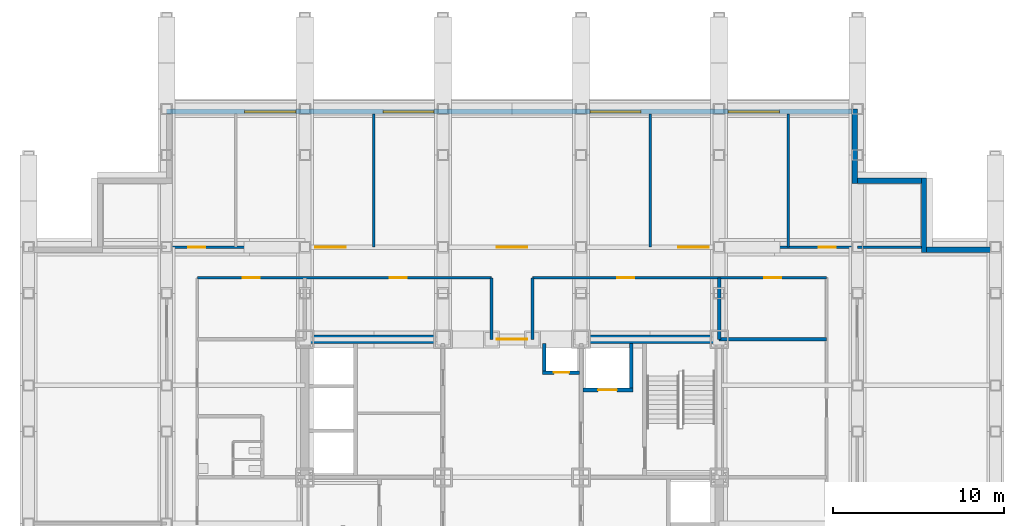
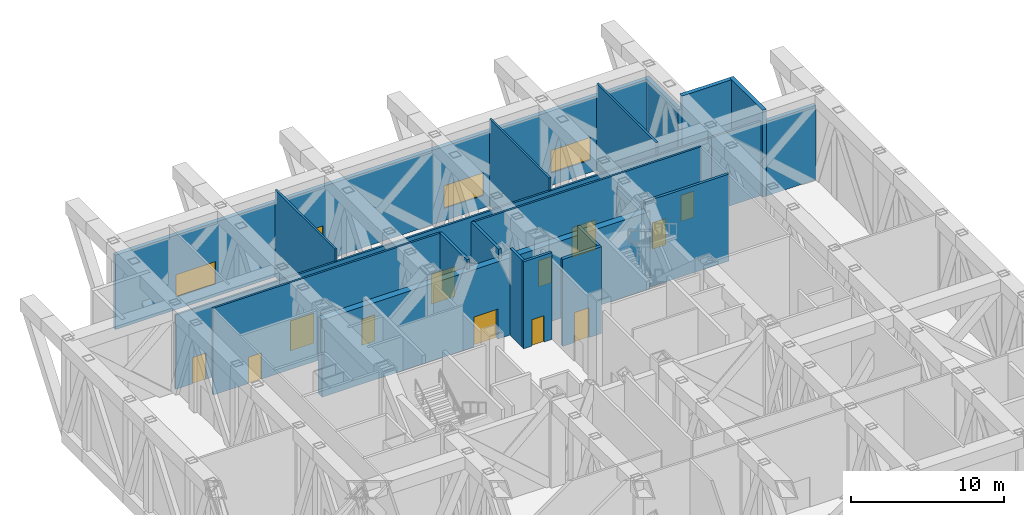
# One storey, part 10 of 13: 21 walls, 12 doors, 4 windows, 16 openings.
"""IFC4 building model written with IfcOpenShell, lengths in metres."""

from ifc_helpers import new_model, si_unit, direction, frame, frame_2d, origin, place, context, subcontext, project, spatial, rectangle, extrude, material, layer, layer_set, type_object, element, fill, save


model = new_model("IFC4")

# Units and contexts
model_context = context("Model", 3, precision=1e-05, world=origin(), true_north=direction((0.0, 1.0)))
body_context = subcontext(model_context, "Body", "Model", "MODEL_VIEW")
ifc_project = project(units=[si_unit("LENGTHUNIT", "METRE"), si_unit("AREAUNIT", "SQUARE_METRE"), si_unit("VOLUMEUNIT", "CUBIC_METRE"), si_unit("PLANEANGLEUNIT", "RADIAN"), si_unit("MASSUNIT", "GRAM", prefix="KILO")], contexts=[model_context])

# Site, building, storey
site_placement = place(None, origin())
site = spatial("IfcSite", under=ifc_project, at=site_placement, CompositionType="ELEMENT")
building_placement = place(site_placement, origin())
building = spatial("IfcBuilding", under=site, at=building_placement, Name="Kopane Lantern Tower", CompositionType="ELEMENT")
storey_placement = place(building_placement, frame((0.0, 0.0, 157.800048828125)))
storey = spatial("IfcBuildingStorey", under=building, at=storey_placement, Name="L41", CompositionType="ELEMENT", Elevation=157.800048828125)

# Wall, opening, door
ifc_material_1 = material(Name="Gypsum shaft wall EI 120", Category="gypsum")
ifc_layer_1 = layer(ifc_material_1, 0.5)
ifc_layer_set_1 = layer_set([ifc_layer_1], Name="CORE PERIMETER WALL 500 EI 120")
wall_type_1 = type_object("IfcWallType", Name="CORE PERIMETER WALL 500 EI 120", PredefinedType="SOLIDWALL", material=ifc_layer_set_1)
wall_1_placement = place(storey_placement, frame((15.949951171875, 40.5, 0.0), z_axis=(0.0, 0.0, 1.0), x_axis=(1.0, 0.0, 0.0)))
wall_1 = element("IfcWall", 1, at=wall_1_placement, inside=storey, type_object=wall_type_1, Name="Core shaft wall L41 PN", PredefinedType="SOLIDWALL", context=body_context, shape_type="SweptSolid", body=[
    extrude(rectangle(XDim=24.800048828125, YDim=0.5, at=frame_2d((12.39990234375, 0.0))), origin(), (0.0, 0.0, 1.0), 6.18017578125),
])
opening_1_placement = place(wall_1_placement, frame((11.5, 0.0, 0.0)))
opening_1 = element("IfcOpeningElement", 2, at=opening_1_placement, cuts=wall_1, Name="Opening 41.CE-N", PredefinedType="OPENING", context=body_context, shape_type="SweptSolid", body=[
    extrude(rectangle(XDim=1.800048828125, YDim=2.39990234375, at=frame_2d((0.89990234375, 1.199951171875))), frame((0.0, 0.260009765625, 0.0), z_axis=(0.0, -1.0, 0.0), x_axis=(1.0, 0.0, 0.0)), (0.0, 0.0, 1.0), 0.52001953125),
])
ifc_material_2 = material(Name="Steel door set", Category="steel")
door_type_1 = type_object("IfcDoorType", Name="CORE ENTRY DOOR 1800x2400 FD60S", OperationType="DOUBLE_DOOR_SINGLE_SWING", PredefinedType="DOOR", material=ifc_material_2)
door_1_placement = place(opening_1_placement, origin())
door_1 = element("IfcDoor", 3, at=door_1_placement, inside=storey, type_object=door_type_1, Name="Core entry door L41 north", OperationType="DOUBLE_DOOR_SINGLE_SWING", OverallHeight=2.39990234375, OverallWidth=1.800048828125, PredefinedType="DOOR", context=body_context, shape_type="SweptSolid", body=[
    extrude(rectangle(XDim=1.800048828125, YDim=2.39990234375, at=frame_2d((0.89990234375, 1.199951171875))), frame((0.0, 0.02490234375, 0.0), z_axis=(0.0, -1.0, 0.0), x_axis=(1.0, 0.0, 0.0)), (0.0, 0.0, 1.0), 0.050048828125),
])
fill(opening_1, door_1)

ifc_material_3 = material(Name="Gypsum shaft wall EI 120", Category="gypsum")
ifc_layer_2 = layer(ifc_material_3, 0.25)
ifc_layer_set_2 = layer_set([ifc_layer_2], Name="CORE SHAFT WALL 250 EI 120")
wall_type_2 = type_object("IfcWallType", Name="CORE SHAFT WALL 250 EI 120", PredefinedType="SOLIDWALL", material=ifc_layer_set_2)
wall_2_placement = place(storey_placement, frame((32.5, 37.52490234375, 0.0), z_axis=(0.0, 0.0, 1.0), x_axis=(1.0, 0.0, 0.0)))
wall_2 = element("IfcWall", 4, at=wall_2_placement, inside=storey, type_object=wall_type_2, Name="Core shaft wall L41 YLF2", PredefinedType="SOLIDWALL", context=body_context, shape_type="SweptSolid", body=[
    extrude(rectangle(XDim=2.949951171875, YDim=0.25, at=frame_2d((1.47509765625, 0.0))), origin(), (0.0, 0.0, 1.0), 6.949951171875),
])
opening_2_placement = place(wall_2_placement, frame((0.89990234375, 0.0, 0.0)))
opening_2 = element("IfcOpeningElement", 5, at=opening_2_placement, cuts=wall_2, Name="Opening 41.LD-LF2", PredefinedType="OPENING", context=body_context, shape_type="SweptSolid", body=[
    extrude(rectangle(XDim=1.10009765625, YDim=2.39990234375, at=frame_2d((0.550048828125, 1.199951171875))), frame((0.0, 0.135009765625, 0.0), z_axis=(0.0, -1.0, 0.0), x_axis=(1.0, 0.0, 0.0)), (0.0, 0.0, 1.0), 0.27001953125),
])
ifc_material_4 = material(Name="Steel door set", Category="steel")
door_type_2 = type_object("IfcDoorType", Name="LIFT LANDING DOOR 1100x2400 FD60", OperationType="DOUBLE_DOOR_SLIDING", PredefinedType="DOOR", material=ifc_material_4)
door_2_placement = place(opening_2_placement, origin())
door_2 = element("IfcDoor", 6, at=door_2_placement, inside=storey, type_object=door_type_2, Name="Landing door LF2 L41", OperationType="DOUBLE_DOOR_SLIDING", OverallHeight=2.39990234375, OverallWidth=1.10009765625, PredefinedType="DOOR", context=body_context, shape_type="SweptSolid", body=[
    extrude(rectangle(XDim=1.10009765625, YDim=2.39990234375, at=frame_2d((0.550048828125, 1.199951171875))), frame((0.0, 0.02490234375, 0.0), z_axis=(0.0, -1.0, 0.0), x_axis=(1.0, 0.0, 0.0)), (0.0, 0.0, 1.0), 0.050048828125),
])
fill(opening_2, door_2)

# Wall, openings, doors
ifc_material_5 = material(Name="Gypsum board on steel studs", Category="steel")
ifc_layer_3 = layer(ifc_material_5, 0.14990234375)
ifc_layer_set_3 = layer_set([ifc_layer_3], Name="CORRIDOR WALL 150 EI 60")
wall_type_3 = type_object("IfcWallType", Name="CORRIDOR WALL 150 EI 60", PredefinedType="PARTITIONING", material=ifc_layer_set_3)
wall_3_placement = place(storey_placement, frame((8.10009765625, 45.89990234375, 0.0), z_axis=(0.0, 0.0, 1.0), x_axis=(1.0, 0.0, 0.0)))
wall_3 = element("IfcWall", 7, at=wall_3_placement, inside=storey, type_object=wall_type_3, Name="Corridor Wall 150 Ei 60 L41", PredefinedType="PARTITIONING", context=body_context, shape_type="SweptSolid", body=[
    extrude(rectangle(XDim=40.5, YDim=0.14990234375, at=frame_2d((20.25, 0.0))), origin(), (0.0, 0.0, 1.0), 5.949951171875),
])
opening_3_placement = place(wall_3_placement, frame((8.699951171875, 0.0, 0.0)))
opening_3 = element("IfcOpeningElement", 8, at=opening_3_placement, cuts=wall_3, Name="Opening L41-018", PredefinedType="OPENING", context=body_context, shape_type="SweptSolid", body=[
    extrude(rectangle(XDim=1.800048828125, YDim=2.39990234375, at=frame_2d((0.89990234375, 1.199951171875))), frame((0.0, 0.0849609375, 0.0), z_axis=(0.0, -1.0, 0.0), x_axis=(1.0, 0.0, 0.0)), (0.0, 0.0, 1.0), 0.169921875),
])
opening_4_placement = place(wall_3_placement, frame((19.35009765625, 0.0, 0.0)))
opening_4 = element("IfcOpeningElement", 9, at=opening_4_placement, cuts=wall_3, Name="Opening L41-019", PredefinedType="OPENING", context=body_context, shape_type="SweptSolid", body=[
    extrude(rectangle(XDim=1.800048828125, YDim=2.39990234375, at=frame_2d((0.89990234375, 1.199951171875))), frame((0.0, 0.0849609375, 0.0), z_axis=(0.0, -1.0, 0.0), x_axis=(1.0, 0.0, 0.0)), (0.0, 0.0, 1.0), 0.169921875),
])
opening_5_placement = place(wall_3_placement, frame((30.0, 0.0, 0.0)))
opening_5 = element("IfcOpeningElement", 10, at=opening_5_placement, cuts=wall_3, Name="Opening L41-020", PredefinedType="OPENING", context=body_context, shape_type="SweptSolid", body=[
    extrude(rectangle(XDim=1.800048828125, YDim=2.39990234375, at=frame_2d((0.89990234375, 1.199951171875))), frame((0.0, 0.0849609375, 0.0), z_axis=(0.0, -1.0, 0.0), x_axis=(1.0, 0.0, 0.0)), (0.0, 0.0, 1.0), 0.169921875),
])
opening_6_placement = place(wall_3_placement, frame((38.22509765625, 0.0, 0.0)))
opening_6 = element("IfcOpeningElement", 11, at=opening_6_placement, cuts=wall_3, Name="Opening L41-027", PredefinedType="OPENING", context=body_context, shape_type="SweptSolid", body=[
    extrude(rectangle(XDim=1.0, YDim=2.10009765625, at=frame_2d((0.5, 1.050048828125))), frame((0.0, 0.0849609375, 0.0), z_axis=(0.0, -1.0, 0.0), x_axis=(1.0, 0.0, 0.0)), (0.0, 0.0, 1.0), 0.169921875),
])
opening_7_placement = place(wall_3_placement, frame((1.27490234375, 0.0, 0.0)))
opening_7 = element("IfcOpeningElement", 12, at=opening_7_placement, cuts=wall_3, Name="Opening L41-028", PredefinedType="OPENING", context=body_context, shape_type="SweptSolid", body=[
    extrude(rectangle(XDim=1.0, YDim=2.10009765625, at=frame_2d((0.5, 1.050048828125))), frame((0.0, 0.0849609375, 0.0), z_axis=(0.0, -1.0, 0.0), x_axis=(1.0, 0.0, 0.0)), (0.0, 0.0, 1.0), 0.169921875),
])
ifc_material_6 = material(Name="Steel door set", Category="steel")
door_type_3 = type_object("IfcDoorType", Name="DOOR D5 1000x2100 FD60", OperationType="SINGLE_SWING_LEFT", PredefinedType="DOOR", material=ifc_material_6)
door_3_placement = place(opening_6_placement, origin())
door_3 = element("IfcDoor", 13, at=door_3_placement, inside=storey, type_object=door_type_3, Name="Door L41-027", OperationType="SINGLE_SWING_LEFT", OverallHeight=2.10009765625, OverallWidth=1.0, PredefinedType="DOOR", context=body_context, shape_type="SweptSolid", body=[
    extrude(rectangle(XDim=1.0, YDim=2.10009765625, at=frame_2d((0.5, 1.050048828125))), frame((0.0, 0.02490234375, 0.0), z_axis=(0.0, -1.0, 0.0), x_axis=(1.0, 0.0, 0.0)), (0.0, 0.0, 1.0), 0.050048828125),
])
fill(opening_6, door_3)
door_4_placement = place(opening_7_placement, origin())
door_4 = element("IfcDoor", 14, at=door_4_placement, inside=storey, type_object=door_type_3, Name="Door L41-028", OperationType="SINGLE_SWING_RIGHT", OverallHeight=2.10009765625, OverallWidth=1.0, PredefinedType="DOOR", context=body_context, shape_type="SweptSolid", body=[
    extrude(rectangle(XDim=1.0, YDim=2.10009765625, at=frame_2d((0.5, 1.050048828125))), frame((0.0, 0.02490234375, 0.0), z_axis=(0.0, -1.0, 0.0), x_axis=(1.0, 0.0, 0.0)), (0.0, 0.0, 1.0), 0.050048828125),
])
fill(opening_7, door_4)
ifc_material_7 = material(Name="Steel door set", Category="steel")
door_type_4 = type_object("IfcDoorType", Name="DOOR D6 1800x2400 FD30S", OperationType="SINGLE_SWING_LEFT", PredefinedType="DOOR", material=ifc_material_7)
door_5_placement = place(opening_3_placement, origin())
door_5 = element("IfcDoor", 15, at=door_5_placement, inside=storey, type_object=door_type_4, Name="Door L41-018", OperationType="DOUBLE_DOOR_SINGLE_SWING", OverallHeight=2.39990234375, OverallWidth=1.800048828125, PredefinedType="DOOR", context=body_context, shape_type="SweptSolid", body=[
    extrude(rectangle(XDim=1.800048828125, YDim=2.39990234375, at=frame_2d((0.89990234375, 1.199951171875))), frame((0.0, 0.02490234375, 0.0), z_axis=(0.0, -1.0, 0.0), x_axis=(1.0, 0.0, 0.0)), (0.0, 0.0, 1.0), 0.050048828125),
])
fill(opening_3, door_5)
ifc_material_8 = material(Name="Steel door set", Category="steel")
door_type_5 = type_object("IfcDoorType", Name="DOOR D8 1800x2400 FD120", OperationType="SINGLE_SWING_LEFT", PredefinedType="DOOR", material=ifc_material_8)
door_6_placement = place(opening_4_placement, origin())
door_6 = element("IfcDoor", 16, at=door_6_placement, inside=storey, type_object=door_type_5, Name="Door L41-019", OperationType="DOUBLE_DOOR_SINGLE_SWING", OverallHeight=2.39990234375, OverallWidth=1.800048828125, PredefinedType="DOOR", context=body_context, shape_type="SweptSolid", body=[
    extrude(rectangle(XDim=1.800048828125, YDim=2.39990234375, at=frame_2d((0.89990234375, 1.199951171875))), frame((0.0, 0.02490234375, 0.0), z_axis=(0.0, -1.0, 0.0), x_axis=(1.0, 0.0, 0.0)), (0.0, 0.0, 1.0), 0.050048828125),
])
fill(opening_4, door_6)
door_7_placement = place(opening_5_placement, origin())
door_7 = element("IfcDoor", 17, at=door_7_placement, inside=storey, type_object=door_type_5, Name="Door L41-020", OperationType="DOUBLE_DOOR_SINGLE_SWING", OverallHeight=2.39990234375, OverallWidth=1.800048828125, PredefinedType="DOOR", context=body_context, shape_type="SweptSolid", body=[
    extrude(rectangle(XDim=1.800048828125, YDim=2.39990234375, at=frame_2d((0.89990234375, 1.199951171875))), frame((0.0, 0.02490234375, 0.0), z_axis=(0.0, -1.0, 0.0), x_axis=(1.0, 0.0, 0.0)), (0.0, 0.0, 1.0), 0.050048828125),
])
fill(opening_5, door_7)

wall_4_placement = place(storey_placement, frame((46.800048828125, 44.10009765625, 0.0), z_axis=(0.0, 0.0, 1.0), x_axis=(-1.0, 0.0, 0.0)))
wall_4 = element("IfcWall", 18, at=wall_4_placement, inside=storey, type_object=wall_type_3, Name="Corridor Wall 150 Ei 60 L41", PredefinedType="PARTITIONING", context=body_context, shape_type="SweptSolid", body=[
    extrude(rectangle(XDim=17.239990234375, YDim=0.14990234375, at=frame_2d((8.6201171875, 0.0))), origin(), (0.0, 0.0, 1.0), 6.949951171875),
])
opening_8_placement = place(wall_4_placement, frame((11.27490234375, 0.0, 0.0)))
opening_8 = element("IfcOpeningElement", 19, at=opening_8_placement, cuts=wall_4, Name="Opening L41-014", PredefinedType="OPENING", context=body_context, shape_type="SweptSolid", body=[
    extrude(rectangle(XDim=1.0, YDim=2.10009765625, at=frame_2d((0.5, 1.050048828125))), frame((0.0, 0.0849609375, 0.0), z_axis=(0.0, -1.0, 0.0), x_axis=(1.0, 0.0, 0.0)), (0.0, 0.0, 1.0), 0.169921875),
])
opening_9_placement = place(wall_4_placement, frame((2.64990234375, 0.0, 0.0)))
opening_9 = element("IfcOpeningElement", 20, at=opening_9_placement, cuts=wall_4, Name="Opening L41-015", PredefinedType="OPENING", context=body_context, shape_type="SweptSolid", body=[
    extrude(rectangle(XDim=1.0, YDim=2.10009765625, at=frame_2d((0.5, 1.050048828125))), frame((0.0, 0.0849609375, 0.0), z_axis=(0.0, -1.0, 0.0), x_axis=(1.0, 0.0, 0.0)), (0.0, 0.0, 1.0), 0.169921875),
])
door_8_placement = place(opening_8_placement, origin())
door_8 = element("IfcDoor", 21, at=door_8_placement, inside=storey, type_object=door_type_3, Name="Door L41-014", OperationType="SINGLE_SWING_RIGHT", OverallHeight=2.10009765625, OverallWidth=1.0, PredefinedType="DOOR", context=body_context, shape_type="SweptSolid", body=[
    extrude(rectangle(XDim=1.0, YDim=2.10009765625, at=frame_2d((0.5, 1.050048828125))), frame((0.0, 0.02490234375, 0.0), z_axis=(0.0, -1.0, 0.0), x_axis=(1.0, 0.0, 0.0)), (0.0, 0.0, 1.0), 0.050048828125),
])
fill(opening_8, door_8)
door_9_placement = place(opening_9_placement, origin())
door_9 = element("IfcDoor", 22, at=door_9_placement, inside=storey, type_object=door_type_3, Name="Door L41-015", OperationType="SINGLE_SWING_LEFT", OverallHeight=2.10009765625, OverallWidth=1.0, PredefinedType="DOOR", context=body_context, shape_type="SweptSolid", body=[
    extrude(rectangle(XDim=1.0, YDim=2.10009765625, at=frame_2d((0.5, 1.050048828125))), frame((0.0, 0.02490234375, 0.0), z_axis=(0.0, -1.0, 0.0), x_axis=(1.0, 0.0, 0.0)), (0.0, 0.0, 1.0), 0.050048828125),
])
fill(opening_9, door_9)

wall_5_placement = place(storey_placement, frame((27.139892578125, 44.10009765625, 0.0), z_axis=(0.0, 0.0, 1.0), x_axis=(-1.0, 0.0, 0.0)))
wall_5 = element("IfcWall", 23, at=wall_5_placement, inside=storey, type_object=wall_type_3, Name="Corridor Wall 150 Ei 60 L41", PredefinedType="PARTITIONING", context=body_context, shape_type="SweptSolid", body=[
    extrude(rectangle(XDim=17.239990234375, YDim=0.14990234375, at=frame_2d((8.6201171875, 0.0))), origin(), (0.0, 0.0, 1.0), 6.949951171875),
])
opening_10_placement = place(wall_5_placement, frame((13.590087890625, 0.0, 0.0)))
opening_10 = element("IfcOpeningElement", 24, at=opening_10_placement, cuts=wall_5, Name="Opening L41-012", PredefinedType="OPENING", context=body_context, shape_type="SweptSolid", body=[
    extrude(rectangle(XDim=1.0, YDim=2.10009765625, at=frame_2d((0.5, 1.050048828125))), frame((0.0, 0.0849609375, 0.0), z_axis=(0.0, -1.0, 0.0), x_axis=(1.0, 0.0, 0.0)), (0.0, 0.0, 1.0), 0.169921875),
])
opening_11_placement = place(wall_5_placement, frame((4.965087890625, 0.0, 0.0)))
opening_11 = element("IfcOpeningElement", 25, at=opening_11_placement, cuts=wall_5, Name="Opening L41-013", PredefinedType="OPENING", context=body_context, shape_type="SweptSolid", body=[
    extrude(rectangle(XDim=1.0, YDim=2.10009765625, at=frame_2d((0.5, 1.050048828125))), frame((0.0, 0.0849609375, 0.0), z_axis=(0.0, -1.0, 0.0), x_axis=(1.0, 0.0, 0.0)), (0.0, 0.0, 1.0), 0.169921875),
])
door_10_placement = place(opening_10_placement, origin())
door_10 = element("IfcDoor", 26, at=door_10_placement, inside=storey, type_object=door_type_3, Name="Door L41-012", OperationType="SINGLE_SWING_RIGHT", OverallHeight=2.10009765625, OverallWidth=1.0, PredefinedType="DOOR", context=body_context, shape_type="SweptSolid", body=[
    extrude(rectangle(XDim=1.0, YDim=2.10009765625, at=frame_2d((0.5, 1.050048828125))), frame((0.0, 0.02490234375, 0.0), z_axis=(0.0, -1.0, 0.0), x_axis=(1.0, 0.0, 0.0)), (0.0, 0.0, 1.0), 0.050048828125),
])
fill(opening_10, door_10)
door_11_placement = place(opening_11_placement, origin())
door_11 = element("IfcDoor", 27, at=door_11_placement, inside=storey, type_object=door_type_3, Name="Door L41-013", OperationType="SINGLE_SWING_LEFT", OverallHeight=2.10009765625, OverallWidth=1.0, PredefinedType="DOOR", context=body_context, shape_type="SweptSolid", body=[
    extrude(rectangle(XDim=1.0, YDim=2.10009765625, at=frame_2d((0.5, 1.050048828125))), frame((0.0, 0.02490234375, 0.0), z_axis=(0.0, -1.0, 0.0), x_axis=(1.0, 0.0, 0.0)), (0.0, 0.0, 1.0), 0.050048828125),
])
fill(opening_11, door_11)

# Walls
ifc_material_9 = material(Name="Gypsum board on steel studs", Category="steel")
ifc_layer_4 = layer(ifc_material_9, 0.14990234375)
ifc_layer_set_4 = layer_set([ifc_layer_4], Name="DEMISING WALL 150 EI 60")
wall_type_4 = type_object("IfcWallType", Name="DEMISING WALL 150 EI 60", PredefinedType="PARTITIONING", material=ifc_layer_set_4)
for number, where, z_axis, x_axis, name in (
    (28, (20.25, 45.89990234375, 0.0), (0.0, 0.0, 1.0), (0.0, 1.0, 0.0), "Demising Wall 150 Ei 60 L41"),
    (29, (36.449951171875, 45.89990234375, 0.0), (0.0, 0.0, 1.0), (0.0, 1.0, 0.0), "Demising Wall 150 Ei 60 L41"),
):
    element("IfcWall", number, at=place(storey_placement, frame(where, z_axis=z_axis, x_axis=x_axis)), inside=storey, type_object=wall_type_4, Name=name, PredefinedType="PARTITIONING", context=body_context, shape_type="SweptSolid", body=[
        extrude(rectangle(XDim=7.800048828125, YDim=0.14990234375, at=frame_2d((3.89990234375, 0.0))), origin(), (0.0, 0.0, 1.0), 6.949951171875),
    ])
wall_6_placement = place(storey_placement, frame((48.60009765625, 45.89990234375, 0.0), z_axis=(0.0, 0.0, 1.0), x_axis=(1.0, 0.0, 0.0)))
element("IfcWall", 30, at=wall_6_placement, inside=storey, type_object=wall_type_4, Name="Demising Wall 150 Ei 60 L41", PredefinedType="PARTITIONING", context=body_context, shape_type="SweptSolid", body=[
    extrude(rectangle(XDim=3.75, YDim=0.14990234375, at=frame_2d((1.875, 0.0))), origin(), (0.0, 0.0, 1.0), 5.949951171875),
])
wall_7_placement = place(storey_placement, frame((44.550048828125, 45.89990234375, 0.0), z_axis=(0.0, 0.0, 1.0), x_axis=(0.0, 1.0, 0.0)))
element("IfcWall", 31, at=wall_7_placement, inside=storey, type_object=wall_type_4, Name="Demising Wall 150 Ei 60 L41", PredefinedType="PARTITIONING", context=body_context, shape_type="SweptSolid", body=[
    extrude(rectangle(XDim=7.800048828125, YDim=0.14990234375, at=frame_2d((3.89990234375, 0.0))), origin(), (0.0, 0.0, 1.0), 6.949951171875),
])
ifc_material_10 = material(Name="Terracotta rainscreen on light steel framing", Category="masonry")
ifc_layer_5 = layer(ifc_material_10, 0.300048828125)
ifc_layer_set_5 = layer_set([ifc_layer_5], Name="EXTERNAL WALL EW1 300 TERRACOTTA")
wall_type_5 = type_object("IfcWallType", Name="EXTERNAL WALL EW1 300 TERRACOTTA", PredefinedType="SOLIDWALL", material=ifc_layer_set_5)
wall_8_placement = place(storey_placement, frame((56.39990234375, 45.75, 0.0), z_axis=(0.0, 0.0, 1.0), x_axis=(-1.0, 0.0, 0.0)))
element("IfcWall", 32, at=wall_8_placement, inside=storey, type_object=wall_type_5, Name="External wall N L41", PredefinedType="SOLIDWALL", context=body_context, shape_type="SweptSolid", body=[
    extrude(rectangle(XDim=3.75, YDim=0.300048828125, at=frame_2d((1.875, 0.0))), origin(), (0.0, 0.0, 1.0), 5.949951171875),
])
wall_9_placement = place(storey_placement, frame((52.5, 45.60009765625, 0.0), z_axis=(0.0, 0.0, 1.0), x_axis=(0.0, 1.0, 0.0)))
element("IfcWall", 33, at=wall_9_placement, inside=storey, type_object=wall_type_5, Name="External wall E L41", PredefinedType="SOLIDWALL", context=body_context, shape_type="SweptSolid", body=[
    extrude(rectangle(XDim=4.349853515625, YDim=0.300048828125, at=frame_2d((2.1748046875, 0.0))), origin(), (0.0, 0.0, 1.0), 6.949951171875),
])
wall_10_placement = place(storey_placement, frame((52.35009765625, 49.800048828125, 0.0), z_axis=(0.0, 0.0, 1.0), x_axis=(-1.0, 0.0, 0.0)))
element("IfcWall", 34, at=wall_10_placement, inside=storey, type_object=wall_type_5, Name="External wall N L41", PredefinedType="SOLIDWALL", context=body_context, shape_type="SweptSolid", body=[
    extrude(rectangle(XDim=3.75, YDim=0.300048828125, at=frame_2d((1.875, 0.0))), origin(), (0.0, 0.0, 1.0), 6.949951171875),
])
wall_11_placement = place(storey_placement, frame((48.449951171875, 49.64990234375, 0.0), z_axis=(0.0, 0.0, 1.0), x_axis=(0.0, 1.0, 0.0)))
element("IfcWall", 35, at=wall_11_placement, inside=storey, type_object=wall_type_5, Name="External wall E L41", PredefinedType="SOLIDWALL", context=body_context, shape_type="SweptSolid", body=[
    extrude(rectangle(XDim=4.35009765625, YDim=0.300048828125, at=frame_2d((2.175048828125, 0.0))), origin(), (0.0, 0.0, 1.0), 5.949951171875),
])

# Wall, openings, windows
wall_12_placement = place(storey_placement, frame((48.300048828125, 53.85009765625, 0.0), z_axis=(0.0, 0.0, 1.0), x_axis=(-1.0, 0.0, 0.0)))
wall_12 = element("IfcWall", 36, at=wall_12_placement, inside=storey, type_object=wall_type_5, Name="External wall N L41", PredefinedType="SOLIDWALL", context=body_context, shape_type="SweptSolid", body=[
    extrude(rectangle(XDim=40.199951171875, YDim=0.300048828125, at=frame_2d((20.10009765625, 0.0))), origin(), (0.0, 0.0, 1.0), 5.949951171875),
])
opening_12_placement = place(wall_12_placement, frame((4.27490234375, 0.0, 1.0)))
opening_12 = element("IfcOpeningElement", 37, at=opening_12_placement, cuts=wall_12, Name="Opening LV300180", PredefinedType="OPENING", context=body_context, shape_type="SweptSolid", body=[
    extrude(rectangle(XDim=3.0, YDim=1.800048828125, at=frame_2d((1.5, 0.89990234375))), frame((0.0, 0.159912109375, 0.0), z_axis=(0.0, -1.0, 0.0), x_axis=(1.0, 0.0, 0.0)), (0.0, 0.0, 1.0), 0.320068359375),
])
opening_13_placement = place(wall_12_placement, frame((12.375, 0.0, 1.0)))
opening_13 = element("IfcOpeningElement", 38, at=opening_13_placement, cuts=wall_12, Name="Opening LV300180", PredefinedType="OPENING", context=body_context, shape_type="SweptSolid", body=[
    extrude(rectangle(XDim=3.0, YDim=1.800048828125, at=frame_2d((1.5, 0.89990234375))), frame((0.0, 0.159912109375, 0.0), z_axis=(0.0, -1.0, 0.0), x_axis=(1.0, 0.0, 0.0)), (0.0, 0.0, 1.0), 0.320068359375),
])
opening_14_placement = place(wall_12_placement, frame((24.52490234375, 0.0, 1.0)))
opening_14 = element("IfcOpeningElement", 39, at=opening_14_placement, cuts=wall_12, Name="Opening LV300180", PredefinedType="OPENING", context=body_context, shape_type="SweptSolid", body=[
    extrude(rectangle(XDim=3.0, YDim=1.800048828125, at=frame_2d((1.5, 0.89990234375))), frame((0.0, 0.159912109375, 0.0), z_axis=(0.0, -1.0, 0.0), x_axis=(1.0, 0.0, 0.0)), (0.0, 0.0, 1.0), 0.320068359375),
])
opening_15_placement = place(wall_12_placement, frame((32.625, 0.0, 1.0)))
opening_15 = element("IfcOpeningElement", 40, at=opening_15_placement, cuts=wall_12, Name="Opening LV300180", PredefinedType="OPENING", context=body_context, shape_type="SweptSolid", body=[
    extrude(rectangle(XDim=3.0, YDim=1.800048828125, at=frame_2d((1.5, 0.89990234375))), frame((0.0, 0.159912109375, 0.0), z_axis=(0.0, -1.0, 0.0), x_axis=(1.0, 0.0, 0.0)), (0.0, 0.0, 1.0), 0.320068359375),
])
ifc_material_11 = material(Name="Aluminium louvre blades", Category="aluminium")
window_type = type_object("IfcWindowType", Name="PLANT LOUVRE LV300180 3000x1800x150", PartitioningType="SINGLE_PANEL", PredefinedType="USERDEFINED", material=ifc_material_11)
window_1_placement = place(opening_12_placement, origin())
window_1 = element("IfcWindow", 41, at=window_1_placement, inside=storey, type_object=window_type, Name="Louvre N L41", ObjectType="LOUVRE", OverallHeight=1.800048828125, OverallWidth=3.0, PartitioningType="SINGLE_PANEL", PredefinedType="USERDEFINED", context=body_context, shape_type="SweptSolid", body=[
    extrude(rectangle(XDim=3.0, YDim=1.800048828125, at=frame_2d((1.5, 0.89990234375))), frame((0.0, 0.074951171875, 0.0), z_axis=(0.0, -1.0, 0.0), x_axis=(1.0, 0.0, 0.0)), (0.0, 0.0, 1.0), 0.14990234375),
])
fill(opening_12, window_1)
window_2_placement = place(opening_13_placement, origin())
window_2 = element("IfcWindow", 42, at=window_2_placement, inside=storey, type_object=window_type, Name="Louvre N L41", ObjectType="LOUVRE", OverallHeight=1.800048828125, OverallWidth=3.0, PartitioningType="SINGLE_PANEL", PredefinedType="USERDEFINED", context=body_context, shape_type="SweptSolid", body=[
    extrude(rectangle(XDim=3.0, YDim=1.800048828125, at=frame_2d((1.5, 0.89990234375))), frame((0.0, 0.074951171875, 0.0), z_axis=(0.0, -1.0, 0.0), x_axis=(1.0, 0.0, 0.0)), (0.0, 0.0, 1.0), 0.14990234375),
])
fill(opening_13, window_2)
window_3_placement = place(opening_14_placement, origin())
window_3 = element("IfcWindow", 43, at=window_3_placement, inside=storey, type_object=window_type, Name="Louvre N L41", ObjectType="LOUVRE", OverallHeight=1.800048828125, OverallWidth=3.0, PartitioningType="SINGLE_PANEL", PredefinedType="USERDEFINED", context=body_context, shape_type="SweptSolid", body=[
    extrude(rectangle(XDim=3.0, YDim=1.800048828125, at=frame_2d((1.5, 0.89990234375))), frame((0.0, 0.074951171875, 0.0), z_axis=(0.0, -1.0, 0.0), x_axis=(1.0, 0.0, 0.0)), (0.0, 0.0, 1.0), 0.14990234375),
])
fill(opening_14, window_3)
window_4_placement = place(opening_15_placement, origin())
window_4 = element("IfcWindow", 44, at=window_4_placement, inside=storey, type_object=window_type, Name="Louvre N L41", ObjectType="LOUVRE", OverallHeight=1.800048828125, OverallWidth=3.0, PartitioningType="SINGLE_PANEL", PredefinedType="USERDEFINED", context=body_context, shape_type="SweptSolid", body=[
    extrude(rectangle(XDim=3.0, YDim=1.800048828125, at=frame_2d((1.5, 0.89990234375))), frame((0.0, 0.074951171875, 0.0), z_axis=(0.0, -1.0, 0.0), x_axis=(1.0, 0.0, 0.0)), (0.0, 0.0, 1.0), 0.14990234375),
])
fill(opening_15, window_4)

# Walls
ifc_material_12 = material(Name="Concrete masonry", Category="masonry")
ifc_layer_6 = layer(ifc_material_12, 0.199951171875)
ifc_layer_set_6 = layer_set([ifc_layer_6], Name="PLANT ROOM WALL 200 EI 120")
wall_type_6 = type_object("IfcWallType", Name="PLANT ROOM WALL 200 EI 120", PredefinedType="SOLIDWALL", material=ifc_layer_set_6)
wall_13_placement = place(storey_placement, frame((40.5, 40.5, 0.0), z_axis=(0.0, 0.0, 1.0), x_axis=(0.0, 1.0, 0.0)))
element("IfcWall", 45, at=wall_13_placement, inside=storey, type_object=wall_type_6, Name="Plant Room Wall 200 Ei 120 L41", PredefinedType="SOLIDWALL", context=body_context, shape_type="SweptSolid", body=[
    extrude(rectangle(XDim=3.60009765625, YDim=0.199951171875, at=frame_2d((1.800048828125, 0.0))), origin(), (0.0, 0.0, 1.0), 5.949951171875),
])
for number, where, z_axis, x_axis, name in (
    (46, (27.14990234375, 40.5, 0.0), (0.0, 0.0, 1.0), (0.0, 1.0, 0.0), "Plant Room Wall 200 Ei 120 L41"),
    (47, (29.550048828125, 40.5, 0.0), (0.0, 0.0, 1.0), (0.0, 1.0, 0.0), "Plant Room Wall 200 Ei 120 L41"),
):
    element("IfcWall", number, at=place(storey_placement, frame(where, z_axis=z_axis, x_axis=x_axis)), inside=storey, type_object=wall_type_6, Name=name, PredefinedType="SOLIDWALL", context=body_context, shape_type="SweptSolid", body=[
        extrude(rectangle(XDim=3.60009765625, YDim=0.199951171875, at=frame_2d((1.800048828125, 0.0))), origin(), (0.0, 0.0, 1.0), 6.949951171875),
    ])
wall_14_placement = place(storey_placement, frame((40.5, 40.5, 0.0), z_axis=(0.0, 0.0, 1.0), x_axis=(1.0, 0.0, 0.0)))
element("IfcWall", 48, at=wall_14_placement, inside=storey, type_object=wall_type_6, Name="Plant Room Wall 200 Ei 120 L41", PredefinedType="SOLIDWALL", context=body_context, shape_type="SweptSolid", body=[
    extrude(rectangle(XDim=6.300048828125, YDim=0.199951171875, at=frame_2d((3.14990234375, 0.0))), origin(), (0.0, 0.0, 1.0), 6.949951171875),
])
ifc_material_13 = material(Name="Gypsum shaft wall EI 120", Category="gypsum")
ifc_layer_7 = layer(ifc_material_13, 0.199951171875)
ifc_layer_set_7 = layer_set([ifc_layer_7], Name="SHAFT WALL 200 EI 120")
wall_type_7 = type_object("IfcWallType", Name="SHAFT WALL 200 EI 120", PredefinedType="SOLIDWALL", material=ifc_layer_set_7)
wall_15_placement = place(storey_placement, frame((35.35009765625, 37.64990234375, 0.0), z_axis=(0.0, 0.0, 1.0), x_axis=(0.0, 1.0, 0.0)))
element("IfcWall", 49, at=wall_15_placement, inside=storey, type_object=wall_type_7, Name="Core shaft wall L41 XLF2", PredefinedType="SOLIDWALL", context=body_context, shape_type="SweptSolid", body=[
    extrude(rectangle(XDim=2.60009765625, YDim=0.199951171875, at=frame_2d((1.300048828125, 0.0))), origin(), (0.0, 0.0, 1.0), 6.949951171875),
])
wall_16_placement = place(storey_placement, frame((30.25, 38.64990234375, 0.0), z_axis=(0.0, 0.0, 1.0), x_axis=(0.0, 1.0, 0.0)))
element("IfcWall", 50, at=wall_16_placement, inside=storey, type_object=wall_type_7, Name="Core shaft wall L41 XRS2", PredefinedType="SOLIDWALL", context=body_context, shape_type="SweptSolid", body=[
    extrude(rectangle(XDim=1.60009765625, YDim=0.199951171875, at=frame_2d((0.800048828125, 0.0))), origin(), (0.0, 0.0, 1.0), 6.949951171875),
])

# Wall, opening, door
wall_17_placement = place(storey_placement, frame((30.14990234375, 38.550048828125, 0.0), z_axis=(0.0, 0.0, 1.0), x_axis=(1.0, 0.0, 0.0)))
wall_17 = element("IfcWall", 51, at=wall_17_placement, inside=storey, type_object=wall_type_7, Name="Core shaft wall L41 YRS2", PredefinedType="SOLIDWALL", context=body_context, shape_type="SweptSolid", body=[
    extrude(rectangle(XDim=2.150146484375, YDim=0.199951171875, at=frame_2d((1.0751953125, 0.0))), origin(), (0.0, 0.0, 1.0), 6.949951171875),
])
opening_16_placement = place(wall_17_placement, frame((0.64990234375, 0.0, 0.0)))
opening_16 = element("IfcOpeningElement", 52, at=opening_16_placement, cuts=wall_17, Name="Opening 41.RS2", PredefinedType="OPENING", context=body_context, shape_type="SweptSolid", body=[
    extrude(rectangle(XDim=0.89990234375, YDim=2.10009765625, at=frame_2d((0.449951171875, 1.050048828125))), frame((0.0, 0.10986328125, 0.0), z_axis=(0.0, -1.0, 0.0), x_axis=(1.0, 0.0, 0.0)), (0.0, 0.0, 1.0), 0.219970703125),
])
ifc_material_14 = material(Name="Steel door set", Category="steel")
door_type_6 = type_object("IfcDoorType", Name="RISER ACCESS DOOR 900x2100 FD60", OperationType="SINGLE_SWING_LEFT", PredefinedType="DOOR", material=ifc_material_14)
door_12_placement = place(opening_16_placement, origin())
door_12 = element("IfcDoor", 53, at=door_12_placement, inside=storey, type_object=door_type_6, Name="Riser access door RS2 L41", OperationType="SINGLE_SWING_LEFT", OverallHeight=2.10009765625, OverallWidth=0.89990234375, PredefinedType="DOOR", context=body_context, shape_type="SweptSolid", body=[
    extrude(rectangle(XDim=0.89990234375, YDim=2.10009765625, at=frame_2d((0.449951171875, 1.050048828125))), frame((0.0, 0.02490234375, 0.0), z_axis=(0.0, -1.0, 0.0), x_axis=(1.0, 0.0, 0.0)), (0.0, 0.0, 1.0), 0.050048828125),
])
fill(opening_16, door_12)

save(model, "model.ifc")
